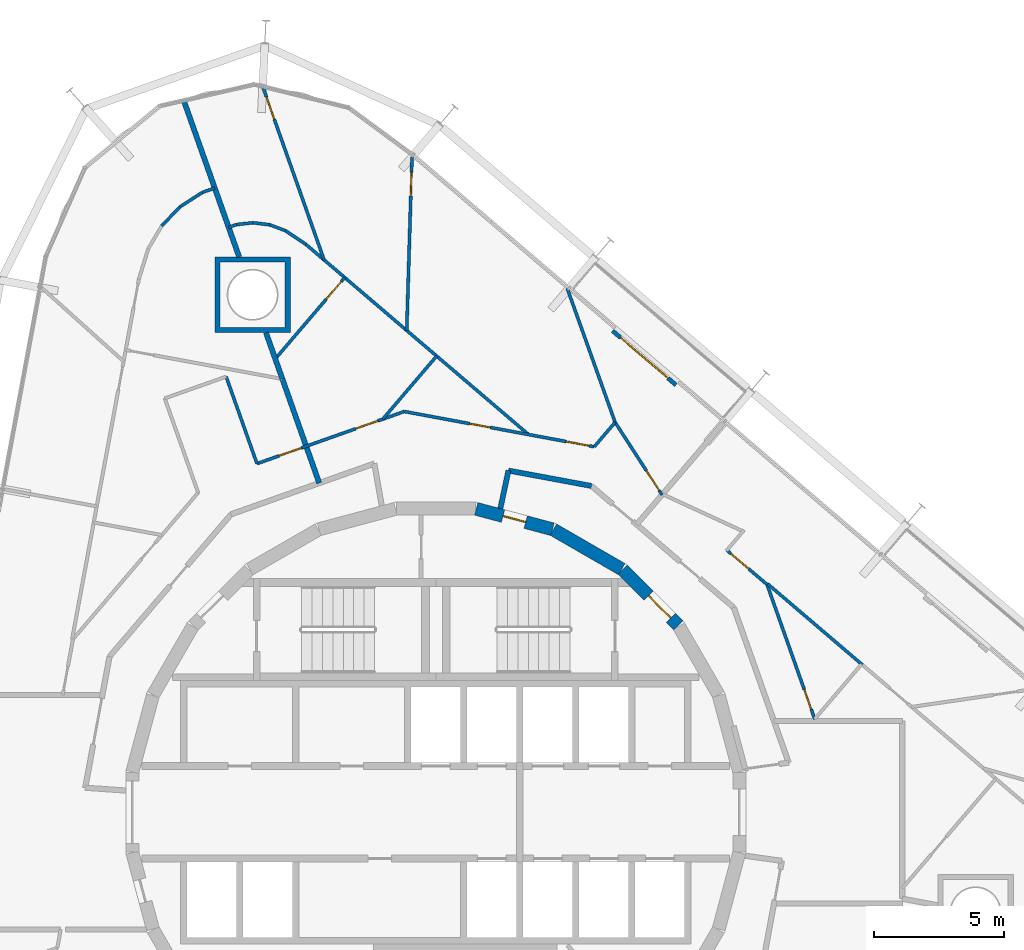
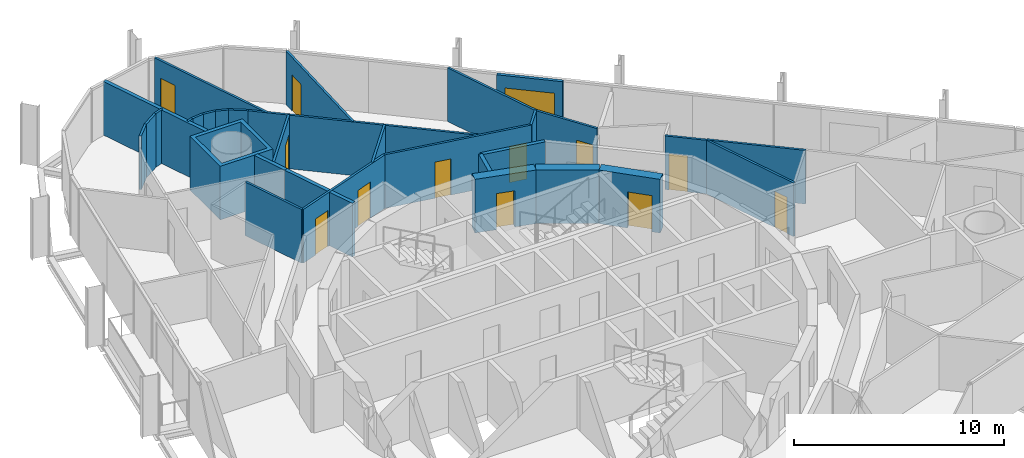
# One storey, part 15 of 17: 32 walls, 13 doors, 13 openings.
"""IFC4 building model written with IfcOpenShell, lengths in metres."""

from ifc_helpers import new_model, si_unit, direction, frame, frame_2d, origin, place, context, subcontext, project, spatial, polyline, rectangle, outline, extrude, material, layer, layer_set, type_object, element, fill, save


model = new_model("IFC4")

# Units and contexts
model_context = context("Model", 3, precision=1e-05, world=origin(), true_north=direction((0.0, 1.0)))
body_context = subcontext(model_context, "Body", "Model", "MODEL_VIEW")
ifc_project = project(units=[si_unit("LENGTHUNIT", "METRE"), si_unit("AREAUNIT", "SQUARE_METRE"), si_unit("VOLUMEUNIT", "CUBIC_METRE"), si_unit("PLANEANGLEUNIT", "RADIAN"), si_unit("MASSUNIT", "GRAM", prefix="KILO")], contexts=[model_context])

# Site, building, storey
site_placement = place(None, origin())
site = spatial("IfcSite", under=ifc_project, at=site_placement, CompositionType="ELEMENT")
building_placement = place(site_placement, origin())
building = spatial("IfcBuilding", under=site, at=building_placement, Name="Spindle Arch Residences", CompositionType="ELEMENT")
storey_placement = place(building_placement, frame((0.0, 0.0, 162.199951171875)))
storey = spatial("IfcBuildingStorey", under=building, at=storey_placement, Name="L40", CompositionType="ELEMENT", Elevation=162.199951171875)

# Wall, opening, door
ifc_material_1 = material(Name="Concrete C50/60", Category="concrete")
ifc_layer_1 = layer(ifc_material_1, 0.5)
ifc_layer_set_1 = layer_set([ifc_layer_1], Name="Core outline wall 500")
wall_type_1 = type_object("IfcWallType", Name="Core outline wall 500", PredefinedType="SHEAR", material=ifc_layer_set_1)
wall_1_placement = place(storey_placement, frame((9.30810546875, 7.163818359375, 0.0), z_axis=(0.0, 0.0, 1.0), x_axis=(-0.707106781187, 0.707106781187, 0.0)))
wall_1 = element("IfcWall", 1, at=wall_1_placement, inside=storey, type_object=wall_type_1, Name="Core outline wall 9", PredefinedType="SHEAR", context=body_context, shape_type="SweptSolid", body=[
    extrude(rectangle(XDim=3.032470703125, YDim=0.5, at=frame_2d((1.51611328125, 0.0))), origin(), (0.0, 0.0, 1.0), 3.1201171875),
])
opening_1_placement = place(wall_1_placement, frame((0.416259765625, 0.0, 0.0)))
opening_1 = element("IfcOpeningElement", 2, at=opening_1_placement, cuts=wall_1, Name="Opening R4B1-AD01", PredefinedType="OPENING", context=body_context, shape_type="SweptSolid", body=[
    extrude(rectangle(XDim=1.199951171875, YDim=2.10009765625, at=frame_2d((0.60009765625, 1.050048828125))), frame((0.0, 0.260009765625, 0.0), z_axis=(0.0, -1.0, 0.0), x_axis=(1.0, 0.0, 0.0)), (0.0, 0.0, 1.0), 0.52001953125),
])
ifc_material_2 = material(Name="Steel, fire-resisting door", Category="steel")
door_type_1 = type_object("IfcDoorType", Name="Stair airlock door 1200x2100", OperationType="SINGLE_SWING_LEFT", PredefinedType="DOOR", material=ifc_material_2)
door_1_placement = place(opening_1_placement, origin())
door_1 = element("IfcDoor", 3, at=door_1_placement, inside=storey, type_object=door_type_1, Name="Stair airlock door R4B1-AD01", OperationType="SINGLE_SWING_RIGHT", OverallHeight=2.10009765625, OverallWidth=1.199951171875, PredefinedType="DOOR", context=body_context, shape_type="SweptSolid", body=[
    extrude(rectangle(XDim=1.199951171875, YDim=2.10009765625, at=frame_2d((0.60009765625, 1.050048828125))), frame((0.0, 0.02490234375, 0.0), z_axis=(0.0, -1.0, 0.0), x_axis=(1.0, 0.0, 0.0)), (0.0, 0.0, 1.0), 0.050048828125),
])
fill(opening_1, door_1)

# Wall
wall_2_placement = place(storey_placement, frame((7.13671875, 9.32861328125, 0.0), z_axis=(0.0, 0.0, 1.0), x_axis=(-0.865975092491, 0.500087131594, 0.0)))
element("IfcWall", 4, at=wall_2_placement, inside=storey, type_object=wall_type_1, Name="Core outline wall 10", PredefinedType="SHEAR", context=body_context, shape_type="SweptSolid", body=[
    extrude(rectangle(XDim=3.03271484375, YDim=0.5, at=frame_2d((1.516357421875, 0.0))), origin(), (0.0, 0.0, 1.0), 3.1201171875),
])

# Wall, opening, door
wall_3_placement = place(storey_placement, frame((4.479248046875, 10.858154296875, 0.0), z_axis=(0.0, 0.0, 1.0), x_axis=(-0.965948410781, 0.258734743916, 0.0)))
wall_3 = element("IfcWall", 5, at=wall_3_placement, inside=storey, type_object=wall_type_1, Name="Core outline wall 11", PredefinedType="SHEAR", context=body_context, shape_type="SweptSolid", body=[
    extrude(rectangle(XDim=3.03271484375, YDim=0.5, at=frame_2d((1.516357421875, 0.0))), origin(), (0.0, 0.0, 1.0), 3.1201171875),
])
opening_2_placement = place(wall_3_placement, frame((1.066162109375, 0.0, 0.0)))
opening_2 = element("IfcOpeningElement", 6, at=opening_2_placement, cuts=wall_3, Name="Opening R4B1-WD10", PredefinedType="OPENING", context=body_context, shape_type="SweptSolid", body=[
    extrude(rectangle(XDim=0.89990234375, YDim=2.10009765625, at=frame_2d((0.449951171875, 1.050048828125))), frame((0.0, 0.260009765625, 0.0), z_axis=(0.0, -1.0, 0.0), x_axis=(1.0, 0.0, 0.0)), (0.0, 0.0, 1.0), 0.52001953125),
])
ifc_material_3 = material(Name="Steel, fire-resisting door", Category="steel")
door_type_2 = type_object("IfcDoorType", Name="Service room door 900x2100", OperationType="SINGLE_SWING_LEFT", PredefinedType="DOOR", material=ifc_material_3)
door_2_placement = place(opening_2_placement, origin())
door_2 = element("IfcDoor", 7, at=door_2_placement, inside=storey, type_object=door_type_2, Name="Service room door R4B1-WD10", OperationType="SINGLE_SWING_RIGHT", OverallHeight=2.10009765625, OverallWidth=0.89990234375, PredefinedType="DOOR", context=body_context, shape_type="SweptSolid", body=[
    extrude(rectangle(XDim=0.89990234375, YDim=2.10009765625, at=frame_2d((0.449951171875, 1.050048828125))), frame((0.0, 0.02490234375, 0.0), z_axis=(0.0, -1.0, 0.0), x_axis=(1.0, 0.0, 0.0)), (0.0, 0.0, 1.0), 0.050048828125),
])
fill(opening_2, door_2)

# Walls
ifc_material_4 = material(Name="Calcium silicate block, plastered")
ifc_layer_2 = layer(ifc_material_4, 0.199951171875)
ifc_layer_set_2 = layer_set([ifc_layer_2], Name="Corridor wall 200")
wall_type_2 = type_object("IfcWallType", Name="Corridor wall 200", PredefinedType="STANDARD", material=ifc_layer_set_2)
wall_4_placement = place(storey_placement, frame((5.972412109375, 12.521240234375, 0.0), z_axis=(0.0, 0.0, 1.0), x_axis=(-0.983243002308, 0.182299748799, 0.0)))
element("IfcWall", 8, at=wall_4_placement, inside=storey, type_object=wall_type_2, Name="Corridor wall R4B1-W005", PredefinedType="STANDARD", context=body_context, shape_type="SweptSolid", body=[
    extrude(rectangle(XDim=3.239501953125, YDim=0.199951171875, at=frame_2d((1.61962890625, 0.0))), origin(), (0.0, 0.0, 1.0), 3.1201171875),
])
wall_5_placement = place(storey_placement, frame((2.787109375, 13.11181640625, 0.0), z_axis=(0.0, 0.0, 1.0), x_axis=(-0.207941001029, -0.978141370197, 0.0)))
element("IfcWall", 9, at=wall_5_placement, inside=storey, type_object=wall_type_2, Name="Corridor wall R4B1-W006", PredefinedType="STANDARD", context=body_context, shape_type="SweptSolid", body=[
    extrude(rectangle(XDim=1.4912109375, YDim=0.199951171875, at=frame_2d((0.74560546875, 0.0))), origin(), (0.0, 0.0, 1.0), 3.1201171875),
])

# Wall, opening, door
ifc_material_5 = material(Name="Plasterboard on steel studs", Category="steel")
ifc_layer_3 = layer(ifc_material_5, 0.1201171875)
ifc_layer_set_3 = layer_set([ifc_layer_3], Name="Flat partition 120")
wall_type_3 = type_object("IfcWallType", Name="Flat partition 120", PredefinedType="PARTITIONING", material=ifc_layer_set_3)
wall_6_placement = place(storey_placement, frame((14.540771484375, 3.57470703125, 0.0), z_axis=(0.0, 0.0, 1.0), x_axis=(-0.333799280318, 0.942644174893, 0.0)))
wall_6 = element("IfcWall", 10, at=wall_6_placement, inside=storey, type_object=wall_type_3, Name="Flat partition R4B1-W038", PredefinedType="PARTITIONING", context=body_context, shape_type="SweptSolid", body=[
    extrude(rectangle(XDim=5.476806640625, YDim=0.1201171875, at=frame_2d((2.73828125, 0.0))), origin(), (0.0, 0.0, 1.0), 3.1201171875),
])
opening_3_placement = place(wall_6_placement, frame((0.39990234375, 0.0, 0.0)))
opening_3 = element("IfcOpeningElement", 11, at=opening_3_placement, cuts=wall_6, Name="Opening R4B1-BD01", PredefinedType="OPENING", context=body_context, shape_type="SweptSolid", body=[
    extrude(rectangle(XDim=0.800048828125, YDim=2.10009765625, at=frame_2d((0.39990234375, 1.050048828125))), frame((0.0, 0.070068359375, 0.0), z_axis=(0.0, -1.0, 0.0), x_axis=(1.0, 0.0, 0.0)), (0.0, 0.0, 1.0), 0.14013671875),
])
ifc_material_6 = material(Name="Timber door set", Category="wood")
door_type_3 = type_object("IfcDoorType", Name="Bathroom door 800x2100", OperationType="NOTDEFINED", PredefinedType="DOOR", material=ifc_material_6)
door_3_placement = place(opening_3_placement, origin())
door_3 = element("IfcDoor", 12, at=door_3_placement, inside=storey, type_object=door_type_3, Name="Bathroom door R4B1-BD01", OperationType="SINGLE_SWING_LEFT", OverallHeight=2.10009765625, OverallWidth=0.800048828125, PredefinedType="DOOR", context=body_context, shape_type="SweptSolid", body=[
    extrude(rectangle(XDim=0.800048828125, YDim=2.10009765625, at=frame_2d((0.39990234375, 1.050048828125))), frame((0.0, 0.02490234375, 0.0), z_axis=(0.0, -1.0, 0.0), x_axis=(1.0, 0.0, 0.0)), (0.0, 0.0, 1.0), 0.050048828125),
])
fill(opening_3, door_3)

wall_7_placement = place(storey_placement, frame((12.712646484375, 8.7373046875, 0.0), z_axis=(0.0, 0.0, 1.0), x_axis=(-0.760410825807, 0.649442357716, 0.0)))
wall_7 = element("IfcWall", 13, at=wall_7_placement, inside=storey, type_object=wall_type_3, Name="Flat partition R4B1-W039", PredefinedType="PARTITIONING", context=body_context, shape_type="SweptSolid", body=[
    extrude(rectangle(XDim=2.028564453125, YDim=0.1201171875, at=frame_2d((1.01416015625, 0.0))), origin(), (0.0, 0.0, 1.0), 3.1201171875),
])
opening_4_placement = place(wall_7_placement, frame((0.9287109375, 0.0, 0.0)))
opening_4 = element("IfcOpeningElement", 14, at=opening_4_placement, cuts=wall_7, Name="Opening R4B1-ID01", PredefinedType="OPENING", context=body_context, shape_type="SweptSolid", body=[
    extrude(rectangle(XDim=0.89990234375, YDim=2.10009765625, at=frame_2d((0.449951171875, 1.050048828125))), frame((0.0, 0.070068359375, 0.0), z_axis=(0.0, -1.0, 0.0), x_axis=(1.0, 0.0, 0.0)), (0.0, 0.0, 1.0), 0.14013671875),
])
ifc_material_7 = material(Name="Timber door set", Category="wood")
door_type_4 = type_object("IfcDoorType", Name="Room door 900x2100", OperationType="NOTDEFINED", PredefinedType="DOOR", material=ifc_material_7)
door_4_placement = place(opening_4_placement, origin())
door_4 = element("IfcDoor", 15, at=door_4_placement, inside=storey, type_object=door_type_4, Name="Room door R4B1-ID01", OperationType="SINGLE_SWING_LEFT", OverallHeight=2.10009765625, OverallWidth=0.89990234375, PredefinedType="DOOR", context=body_context, shape_type="SweptSolid", body=[
    extrude(rectangle(XDim=0.89990234375, YDim=2.10009765625, at=frame_2d((0.449951171875, 1.050048828125))), frame((0.0, 0.02490234375, 0.0), z_axis=(0.0, -1.0, 0.0), x_axis=(1.0, 0.0, 0.0)), (0.0, 0.0, 1.0), 0.050048828125),
])
fill(opening_4, door_4)

# Wall
wall_8_placement = place(storey_placement, frame((12.734130859375, 8.76220703125, 0.0), z_axis=(0.0, 0.0, 1.0), x_axis=(0.760390484255, -0.649466174219, 0.0)))
element("IfcWall", 16, at=wall_8_placement, inside=storey, type_object=wall_type_3, Name="Flat partition R4B1-W040", PredefinedType="PARTITIONING", context=body_context, shape_type="SweptSolid", body=[
    extrude(rectangle(XDim=4.78271484375, YDim=0.1201171875, at=frame_2d((2.391357421875, 0.0))), origin(), (0.0, 0.0, 1.0), 3.1201171875),
])

# Wall, opening, door
wall_9_placement = place(storey_placement, frame((8.6806640625, 12.180908203125, 0.0), z_axis=(0.0, 0.0, 1.0), x_axis=(-0.543187118914, 0.839611668479, 0.0)))
wall_9 = element("IfcWall", 17, at=wall_9_placement, inside=storey, type_object=wall_type_3, Name="Flat partition R4B1-W053", PredefinedType="PARTITIONING", context=body_context, shape_type="SweptSolid", body=[
    extrude(rectangle(XDim=3.3134765625, YDim=0.1201171875, at=frame_2d((1.65673828125, 0.0))), origin(), (0.0, 0.0, 1.0), 3.1201171875),
])
opening_5_placement = place(wall_9_placement, frame((0.199951171875, 0.0, 0.0)))
opening_5 = element("IfcOpeningElement", 18, at=opening_5_placement, cuts=wall_9, Name="Opening R4B1-ID06", PredefinedType="OPENING", context=body_context, shape_type="SweptSolid", body=[
    extrude(rectangle(XDim=0.89990234375, YDim=2.10009765625, at=frame_2d((0.449951171875, 1.050048828125))), frame((0.0, 0.070068359375, 0.0), z_axis=(0.0, -1.0, 0.0), x_axis=(1.0, 0.0, 0.0)), (0.0, 0.0, 1.0), 0.14013671875),
])
door_5_placement = place(opening_5_placement, origin())
door_5 = element("IfcDoor", 19, at=door_5_placement, inside=storey, type_object=door_type_4, Name="Room door R4B1-ID06", OperationType="SINGLE_SWING_RIGHT", OverallHeight=2.10009765625, OverallWidth=0.89990234375, PredefinedType="DOOR", context=body_context, shape_type="SweptSolid", body=[
    extrude(rectangle(XDim=0.89990234375, YDim=2.10009765625, at=frame_2d((0.449951171875, 1.050048828125))), frame((0.0, 0.02490234375, 0.0), z_axis=(0.0, -1.0, 0.0), x_axis=(1.0, 0.0, 0.0)), (0.0, 0.0, 1.0), 0.050048828125),
])
fill(opening_5, door_5)

# Wall
wall_10_placement = place(storey_placement, frame((6.880859375, 14.962890625, 0.0), z_axis=(0.0, 0.0, 1.0), x_axis=(-0.649402250594, -0.760445078177, 0.0)))
element("IfcWall", 20, at=wall_10_placement, inside=storey, type_object=wall_type_3, Name="Flat partition R4B1-W054", PredefinedType="PARTITIONING", context=body_context, shape_type="SweptSolid", body=[
    extrude(rectangle(XDim=1.231201171875, YDim=0.1201171875, at=frame_2d((0.61572265625, 0.0))), origin(), (0.0, 0.0, 1.0), 3.1201171875),
])

# Wall, openings, doors
wall_11_placement = place(storey_placement, frame((6.081298828125, 14.026611328125, 0.0), z_axis=(0.0, 0.0, 1.0), x_axis=(-0.983250989832, 0.182256662416, 0.0)))
wall_11 = element("IfcWall", 21, at=wall_11_placement, inside=storey, type_object=wall_type_3, Name="Flat partition R4B1-W055", PredefinedType="PARTITIONING", context=body_context, shape_type="SweptSolid", body=[
    extrude(rectangle(XDim=7.415771484375, YDim=0.1201171875, at=frame_2d((3.7080078125, 0.0))), origin(), (0.0, 0.0, 1.0), 3.1201171875),
])
opening_6_placement = place(wall_11_placement, frame((0.199951171875, 0.0, 0.0)))
opening_6 = element("IfcOpeningElement", 22, at=opening_6_placement, cuts=wall_11, Name="Opening R4B1-ID07", PredefinedType="OPENING", context=body_context, shape_type="SweptSolid", body=[
    extrude(rectangle(XDim=0.89990234375, YDim=2.10009765625, at=frame_2d((0.449951171875, 1.050048828125))), frame((0.0, 0.070068359375, 0.0), z_axis=(0.0, -1.0, 0.0), x_axis=(1.0, 0.0, 0.0)), (0.0, 0.0, 1.0), 0.14013671875),
])
opening_7_placement = place(wall_11_placement, frame((4.06494140625, 0.0, 0.0)))
opening_7 = element("IfcOpeningElement", 23, at=opening_7_placement, cuts=wall_11, Name="Opening R4B1-BD02", PredefinedType="OPENING", context=body_context, shape_type="SweptSolid", body=[
    extrude(rectangle(XDim=0.800048828125, YDim=2.10009765625, at=frame_2d((0.39990234375, 1.050048828125))), frame((0.0, 0.070068359375, 0.0), z_axis=(0.0, -1.0, 0.0), x_axis=(1.0, 0.0, 0.0)), (0.0, 0.0, 1.0), 0.14013671875),
])
door_6_placement = place(opening_7_placement, origin())
door_6 = element("IfcDoor", 24, at=door_6_placement, inside=storey, type_object=door_type_3, Name="Bathroom door R4B1-BD02", OperationType="SINGLE_SWING_RIGHT", OverallHeight=2.10009765625, OverallWidth=0.800048828125, PredefinedType="DOOR", context=body_context, shape_type="SweptSolid", body=[
    extrude(rectangle(XDim=0.800048828125, YDim=2.10009765625, at=frame_2d((0.39990234375, 1.050048828125))), frame((0.0, 0.02490234375, 0.0), z_axis=(0.0, -1.0, 0.0), x_axis=(1.0, 0.0, 0.0)), (0.0, 0.0, 1.0), 0.050048828125),
])
fill(opening_7, door_6)
door_7_placement = place(opening_6_placement, origin())
door_7 = element("IfcDoor", 25, at=door_7_placement, inside=storey, type_object=door_type_4, Name="Room door R4B1-ID07", OperationType="SINGLE_SWING_RIGHT", OverallHeight=2.10009765625, OverallWidth=0.89990234375, PredefinedType="DOOR", context=body_context, shape_type="SweptSolid", body=[
    extrude(rectangle(XDim=0.89990234375, YDim=2.10009765625, at=frame_2d((0.449951171875, 1.050048828125))), frame((0.0, 0.02490234375, 0.0), z_axis=(0.0, -1.0, 0.0), x_axis=(1.0, 0.0, 0.0)), (0.0, 0.0, 1.0), 0.050048828125),
])
fill(opening_6, door_7)

wall_12_placement = place(storey_placement, frame((-1.210205078125, 15.378173828125, 0.0), z_axis=(0.0, 0.0, 1.0), x_axis=(-0.9426440416, -0.333799656734, 0.0)))
wall_12 = element("IfcWall", 26, at=wall_12_placement, inside=storey, type_object=wall_type_3, Name="Flat partition R4B1-W056", PredefinedType="PARTITIONING", context=body_context, shape_type="SweptSolid", body=[
    extrude(rectangle(XDim=5.99609375, YDim=0.1201171875, at=frame_2d((2.998046875, 0.0))), origin(), (0.0, 0.0, 1.0), 3.1201171875),
])
opening_8_placement = place(wall_12_placement, frame((1.074951171875, 0.0, 0.0)))
opening_8 = element("IfcOpeningElement", 27, at=opening_8_placement, cuts=wall_12, Name="Opening R4B1-ID08", PredefinedType="OPENING", context=body_context, shape_type="SweptSolid", body=[
    extrude(rectangle(XDim=0.89990234375, YDim=2.10009765625, at=frame_2d((0.449951171875, 1.050048828125))), frame((0.0, 0.070068359375, 0.0), z_axis=(0.0, -1.0, 0.0), x_axis=(1.0, 0.0, 0.0)), (0.0, 0.0, 1.0), 0.14013671875),
])
opening_9_placement = place(wall_12_placement, frame((4.1923828125, 0.0, 0.0)))
opening_9 = element("IfcOpeningElement", 28, at=opening_9_placement, cuts=wall_12, Name="Opening R4B1-ID12", PredefinedType="OPENING", context=body_context, shape_type="SweptSolid", body=[
    extrude(rectangle(XDim=0.89990234375, YDim=2.10009765625, at=frame_2d((0.449951171875, 1.050048828125))), frame((0.0, 0.070068359375, 0.0), z_axis=(0.0, -1.0, 0.0), x_axis=(1.0, 0.0, 0.0)), (0.0, 0.0, 1.0), 0.14013671875),
])
door_8_placement = place(opening_8_placement, origin())
door_8 = element("IfcDoor", 29, at=door_8_placement, inside=storey, type_object=door_type_4, Name="Room door R4B1-ID08", OperationType="SINGLE_SWING_RIGHT", OverallHeight=2.10009765625, OverallWidth=0.89990234375, PredefinedType="DOOR", context=body_context, shape_type="SweptSolid", body=[
    extrude(rectangle(XDim=0.89990234375, YDim=2.10009765625, at=frame_2d((0.449951171875, 1.050048828125))), frame((0.0, 0.02490234375, 0.0), z_axis=(0.0, -1.0, 0.0), x_axis=(1.0, 0.0, 0.0)), (0.0, 0.0, 1.0), 0.050048828125),
])
fill(opening_8, door_8)
door_9_placement = place(opening_9_placement, origin())
door_9 = element("IfcDoor", 30, at=door_9_placement, inside=storey, type_object=door_type_4, Name="Room door R4B1-ID12", OperationType="SINGLE_SWING_LEFT", OverallHeight=2.10009765625, OverallWidth=0.89990234375, PredefinedType="DOOR", context=body_context, shape_type="SweptSolid", body=[
    extrude(rectangle(XDim=0.89990234375, YDim=2.10009765625, at=frame_2d((0.449951171875, 1.050048828125))), frame((0.0, 0.02490234375, 0.0), z_axis=(0.0, -1.0, 0.0), x_axis=(1.0, 0.0, 0.0)), (0.0, 0.0, 1.0), 0.050048828125),
])
fill(opening_9, door_9)

# Walls
wall_13_placement = place(storey_placement, frame((5.042724609375, 20.10498046875, 0.0), z_axis=(0.0, 0.0, 1.0), x_axis=(0.336608273763, -0.941644768495, 0.0)))
element("IfcWall", 31, at=wall_13_placement, inside=storey, type_object=wall_type_3, Name="Flat partition R4B1-W057", PredefinedType="PARTITIONING", context=body_context, shape_type="SweptSolid", body=[
    extrude(rectangle(XDim=5.460693359375, YDim=0.1201171875, at=frame_2d((2.73046875, 0.0))), origin(), (0.0, 0.0, 1.0), 3.1201171875),
])
wall_14_placement = place(storey_placement, frame((-4.983154296875, 21.7900390625, 0.0), z_axis=(0.0, 0.0, 1.0), x_axis=(0.760399838428, -0.649455222258, 0.0)))
element("IfcWall", 32, at=wall_14_placement, inside=storey, type_object=wall_type_3, Name="Flat partition R4B1-W058", PredefinedType="PARTITIONING", context=body_context, shape_type="SweptSolid", body=[
    extrude(rectangle(XDim=11.23388671875, YDim=0.1201171875, at=frame_2d((5.616943359375, 0.0))), origin(), (0.0, 0.0, 1.0), 3.1201171875),
])

# Wall, opening, door
wall_15_placement = place(storey_placement, frame((-0.913818359375, 25.152587890625, 0.0), z_axis=(0.0, 0.0, 1.0), x_axis=(-0.030313511254, -0.99954043992, 0.0)))
wall_15 = element("IfcWall", 33, at=wall_15_placement, inside=storey, type_object=wall_type_3, Name="Flat partition R4B1-W059", PredefinedType="PARTITIONING", context=body_context, shape_type="SweptSolid", body=[
    extrude(rectangle(XDim=6.668701171875, YDim=0.1201171875, at=frame_2d((3.33447265625, 0.0))), origin(), (0.0, 0.0, 1.0), 3.1201171875),
])
opening_10_placement = place(wall_15_placement, frame((0.60009765625, 0.0, 0.0)))
opening_10 = element("IfcOpeningElement", 34, at=opening_10_placement, cuts=wall_15, Name="Opening R4B1-ID10", PredefinedType="OPENING", context=body_context, shape_type="SweptSolid", body=[
    extrude(rectangle(XDim=0.89990234375, YDim=2.10009765625, at=frame_2d((0.449951171875, 1.050048828125))), frame((0.0, 0.070068359375, 0.0), z_axis=(0.0, -1.0, 0.0), x_axis=(1.0, 0.0, 0.0)), (0.0, 0.0, 1.0), 0.14013671875),
])
door_10_placement = place(opening_10_placement, origin())
door_10 = element("IfcDoor", 35, at=door_10_placement, inside=storey, type_object=door_type_4, Name="Room door R4B1-ID10", OperationType="SINGLE_SWING_RIGHT", OverallHeight=2.10009765625, OverallWidth=0.89990234375, PredefinedType="DOOR", context=body_context, shape_type="SweptSolid", body=[
    extrude(rectangle(XDim=0.89990234375, YDim=2.10009765625, at=frame_2d((0.449951171875, 1.050048828125))), frame((0.0, 0.02490234375, 0.0), z_axis=(0.0, -1.0, 0.0), x_axis=(1.0, 0.0, 0.0)), (0.0, 0.0, 1.0), 0.050048828125),
])
fill(opening_10, door_10)

# Wall
wall_16_placement = place(storey_placement, frame((0.0322265625, 17.50634765625, 0.0), z_axis=(0.0, 0.0, 1.0), x_axis=(-0.649432263268, -0.760419447034, 0.0)))
element("IfcWall", 36, at=wall_16_placement, inside=storey, type_object=wall_type_3, Name="Flat partition R4B1-W060", PredefinedType="PARTITIONING", context=body_context, shape_type="SweptSolid", body=[
    extrude(rectangle(XDim=3.18310546875, YDim=0.1201171875, at=frame_2d((1.591552734375, 0.0))), origin(), (0.0, 0.0, 1.0), 3.1201171875),
])

# Wall, opening, door
wall_17_placement = place(storey_placement, frame((-6.63037109375, 27.815673828125, 0.0), z_axis=(0.0, 0.0, 1.0), x_axis=(0.3337943848, -0.942645908428, 0.0)))
wall_17 = element("IfcWall", 37, at=wall_17_placement, inside=storey, type_object=wall_type_3, Name="Flat partition R4B1-W061", PredefinedType="PARTITIONING", context=body_context, shape_type="SweptSolid", body=[
    extrude(rectangle(XDim=7.0244140625, YDim=0.1201171875, at=frame_2d((3.51220703125, 0.0))), origin(), (0.0, 0.0, 1.0), 3.1201171875),
])
opening_11_placement = place(wall_17_placement, frame((0.39990234375, 0.0, 0.0)))
opening_11 = element("IfcOpeningElement", 38, at=opening_11_placement, cuts=wall_17, Name="Opening R4B1-ID11", PredefinedType="OPENING", context=body_context, shape_type="SweptSolid", body=[
    extrude(rectangle(XDim=0.89990234375, YDim=2.10009765625, at=frame_2d((0.449951171875, 1.050048828125))), frame((0.0, 0.070068359375, 0.0), z_axis=(0.0, -1.0, 0.0), x_axis=(1.0, 0.0, 0.0)), (0.0, 0.0, 1.0), 0.14013671875),
])
door_11_placement = place(opening_11_placement, origin())
door_11 = element("IfcDoor", 39, at=door_11_placement, inside=storey, type_object=door_type_4, Name="Room door R4B1-ID11", OperationType="SINGLE_SWING_RIGHT", OverallHeight=2.10009765625, OverallWidth=0.89990234375, PredefinedType="DOOR", context=body_context, shape_type="SweptSolid", body=[
    extrude(rectangle(XDim=0.89990234375, YDim=2.10009765625, at=frame_2d((0.449951171875, 1.050048828125))), frame((0.0, 0.02490234375, 0.0), z_axis=(0.0, -1.0, 0.0), x_axis=(1.0, 0.0, 0.0)), (0.0, 0.0, 1.0), 0.050048828125),
])
fill(opening_11, door_11)

wall_18_placement = place(storey_placement, frame((-3.494873046875, 20.518798828125, 0.0), z_axis=(0.0, 0.0, 1.0), x_axis=(-0.649433550281, -0.760418347865, 0.0)))
wall_18 = element("IfcWall", 40, at=wall_18_placement, inside=storey, type_object=wall_type_3, Name="Flat partition R4B1-W062", PredefinedType="PARTITIONING", context=body_context, shape_type="SweptSolid", body=[
    extrude(rectangle(XDim=4.104736328125, YDim=0.1201171875, at=frame_2d((2.05224609375, 0.0))), origin(), (0.0, 0.0, 1.0), 3.1201171875),
])
opening_12_placement = place(wall_18_placement, frame((0.199951171875, 0.0, 0.0)))
opening_12 = element("IfcOpeningElement", 41, at=opening_12_placement, cuts=wall_18, Name="Opening R4B1-ID09", PredefinedType="OPENING", context=body_context, shape_type="SweptSolid", body=[
    extrude(rectangle(XDim=0.89990234375, YDim=2.10009765625, at=frame_2d((0.449951171875, 1.050048828125))), frame((0.0, 0.070068359375, 0.0), z_axis=(0.0, -1.0, 0.0), x_axis=(1.0, 0.0, 0.0)), (0.0, 0.0, 1.0), 0.14013671875),
])
door_12_placement = place(opening_12_placement, origin())
door_12 = element("IfcDoor", 42, at=door_12_placement, inside=storey, type_object=door_type_4, Name="Room door R4B1-ID09", OperationType="SINGLE_SWING_RIGHT", OverallHeight=2.10009765625, OverallWidth=0.89990234375, PredefinedType="DOOR", context=body_context, shape_type="SweptSolid", body=[
    extrude(rectangle(XDim=0.89990234375, YDim=2.10009765625, at=frame_2d((0.449951171875, 1.050048828125))), frame((0.0, 0.02490234375, 0.0), z_axis=(0.0, -1.0, 0.0), x_axis=(1.0, 0.0, 0.0)), (0.0, 0.0, 1.0), 0.050048828125),
])
fill(opening_12, door_12)

# Walls
wall_19_placement = place(storey_placement, frame((-4.983154296875, 21.7900390625, 0.0), z_axis=(0.0, 0.0, 1.0), x_axis=(-0.830738977604, 0.556662151659, 0.0)))
element("IfcWall", 43, at=wall_19_placement, inside=storey, type_object=wall_type_3, Name="Flat partition R4B1-W063", PredefinedType="PARTITIONING", context=body_context, shape_type="SweptSolid", body=[
    extrude(rectangle(XDim=0.94677734375, YDim=0.1201171875, at=frame_2d((0.473388671875, 0.0))), origin(), (0.0, 0.0, 1.0), 3.1201171875),
])
wall_20_placement = place(storey_placement, frame((-5.769775390625, 22.317138671875, 0.0), z_axis=(0.0, 0.0, 1.0), x_axis=(-0.936656964971, 0.350248097742, 0.0)))
element("IfcWall", 44, at=wall_20_placement, inside=storey, type_object=wall_type_3, Name="Flat partition R4B1-W064", PredefinedType="PARTITIONING", context=body_context, shape_type="SweptSolid", body=[
    extrude(rectangle(XDim=0.64208984375, YDim=0.1201171875, at=frame_2d((0.321044921875, 0.0))), origin(), (0.0, 0.0, 1.0), 3.1201171875),
])
for number, where, z_axis, x_axis, name in (
    (45, (-6.37109375, 22.5419921875, 0.0), (0.0, 0.0, 1.0), (-0.992183947469, 0.124783870694, 0.0), "Flat partition R4B1-W065"),
    (46, (-7.0078125, 22.6220703125, 0.0), (0.0, 0.0, 1.0), (-0.994190559363, -0.107634249541, 0.0), "Flat partition R4B1-W066"),
):
    element("IfcWall", number, at=place(storey_placement, frame(where, z_axis=z_axis, x_axis=x_axis)), inside=storey, type_object=wall_type_3, Name=name, PredefinedType="PARTITIONING", context=body_context, shape_type="SweptSolid", body=[
        extrude(rectangle(XDim=0.641845703125, YDim=0.1201171875, at=frame_2d((0.32080078125, 0.0))), origin(), (0.0, 0.0, 1.0), 3.1201171875),
    ])
wall_21_placement = place(storey_placement, frame((-7.64599609375, 22.552978515625, 0.0), z_axis=(0.0, 0.0, 1.0), x_axis=(-0.942821632103, -0.333297719823, 0.0)))
element("IfcWall", 47, at=wall_21_placement, inside=storey, type_object=wall_type_3, Name="Flat partition R4B1-W067", PredefinedType="PARTITIONING", context=body_context, shape_type="SweptSolid", body=[
    extrude(rectangle(XDim=0.32080078125, YDim=0.1201171875, at=frame_2d((0.160400390625, 0.0))), origin(), (0.0, 0.0, 1.0), 3.1201171875),
])
wall_22_placement = place(storey_placement, frame((-6.8623046875, 13.376708984375, 0.0), z_axis=(0.0, 0.0, 1.0), x_axis=(-0.333868827671, 0.942619544625, 0.0)))
element("IfcWall", 48, at=wall_22_placement, inside=storey, type_object=wall_type_3, Name="Flat partition R4B1-W068", PredefinedType="PARTITIONING", context=body_context, shape_type="SweptSolid", body=[
    extrude(rectangle(XDim=3.54296875, YDim=0.1201171875, at=frame_2d((1.771484375, 0.0))), origin(), (0.0, 0.0, 1.0), 3.1201171875),
])
wall_23_placement = place(storey_placement, frame((-8.482666015625, 23.9541015625, 0.0), z_axis=(0.0, 0.0, 1.0), x_axis=(-0.942705991445, -0.3336246599, 0.0)))
element("IfcWall", 49, at=wall_23_placement, inside=storey, type_object=wall_type_3, Name="Flat partition R4B1-W074", PredefinedType="PARTITIONING", context=body_context, shape_type="SweptSolid", body=[
    extrude(rectangle(XDim=0.5078125, YDim=0.1201171875, at=frame_2d((0.25390625, 0.0))), origin(), (0.0, 0.0, 1.0), 3.1201171875),
])
wall_24_placement = place(storey_placement, frame((-8.96142578125, 23.78466796875, 0.0), z_axis=(0.0, 0.0, 1.0), x_axis=(-0.840310772539, -0.542104976508, 0.0)))
element("IfcWall", 50, at=wall_24_placement, inside=storey, type_object=wall_type_3, Name="Flat partition R4B1-W075", PredefinedType="PARTITIONING", context=body_context, shape_type="SweptSolid", body=[
    extrude(rectangle(XDim=1.01611328125, YDim=0.1201171875, at=frame_2d((0.508056640625, 0.0))), origin(), (0.0, 0.0, 1.0), 3.1201171875),
])
wall_25_placement = place(storey_placement, frame((-9.815185546875, 23.23388671875, 0.0), z_axis=(0.0, 0.0, 1.0), x_axis=(-0.69266189308, -0.721262436201, 0.0)))
element("IfcWall", 51, at=wall_25_placement, inside=storey, type_object=wall_type_3, Name="Flat partition R4B1-W076", PredefinedType="PARTITIONING", context=body_context, shape_type="SweptSolid", body=[
    extrude(rectangle(XDim=1.015869140625, YDim=0.1201171875, at=frame_2d((0.5078125, 0.0))), origin(), (0.0, 0.0, 1.0), 3.1201171875),
])
ifc_material_8 = material(Name="Calcium silicate block, plastered")
ifc_layer_4 = layer(ifc_material_8, 0.199951171875)
ifc_layer_set_4 = layer_set([ifc_layer_4], Name="Flat party wall 200")
wall_type_4 = type_object("IfcWallType", Name="Flat party wall 200", PredefinedType="STANDARD", material=ifc_layer_set_4)
wall_26_placement = place(storey_placement, frame((-5.887451171875, 16.625732421875, 0.0), z_axis=(0.0, 0.0, 1.0), x_axis=(0.333820478853, -0.942636668021, 0.0)))
element("IfcWall", 52, at=wall_26_placement, inside=storey, type_object=wall_type_4, Name="Flat party wall R4B1-W031", PredefinedType="STANDARD", context=body_context, shape_type="SweptSolid", body=[
    extrude(rectangle(XDim=4.237548828125, YDim=0.199951171875, at=frame_2d((2.11865234375, 0.0))), origin(), (0.0, 0.0, 1.0), 3.1201171875),
])
wall_27_placement = place(storey_placement, frame((-6.518310546875, 18.40771484375, 0.0), z_axis=(0.0, 0.0, 1.0), x_axis=(0.333725210903, -0.942670400303, 0.0)))
element("IfcWall", 53, at=wall_27_placement, inside=storey, type_object=wall_type_4, Name="Flat party wall R4B1-W032", PredefinedType="STANDARD", context=body_context, shape_type="SweptSolid", body=[
    extrude(rectangle(XDim=1.890380859375, YDim=0.199951171875, at=frame_2d((0.9453125, 0.0))), origin(), (0.0, 0.0, 1.0), 3.1201171875),
])
wall_28_placement = place(storey_placement, frame((-9.684326171875, 27.34765625, 0.0), z_axis=(0.0, 0.0, 1.0), x_axis=(0.333810465454, -0.942640214055, 0.0)))
element("IfcWall", 54, at=wall_28_placement, inside=storey, type_object=wall_type_4, Name="Flat party wall R4B1-W033", PredefinedType="STANDARD", context=body_context, shape_type="SweptSolid", body=[
    extrude(rectangle(XDim=6.407470703125, YDim=0.199951171875, at=frame_2d((3.20361328125, 0.0))), origin(), (0.0, 0.0, 1.0), 3.1201171875),
])

# Wall, opening, door
ifc_material_9 = material(Name="Non-combustible mineral wool insulated aluminium faced external wall (K0)", Category="aluminium")
ifc_layer_5 = layer(ifc_material_9, 0.159912109375)
ifc_layer_set_5 = layer_set([ifc_layer_5], Name="Insulated external wall panel 160")
wall_type_5 = type_object("IfcWallType", Name="Insulated external wall panel 160", PredefinedType="STANDARD", material=ifc_layer_set_5)
wall_29_placement = place(storey_placement, frame((9.21630859375, 16.395751953125, 0.0), z_axis=(0.0, 0.0, 1.0), x_axis=(-0.760429407868, 0.649420599957, 0.0)))
wall_29 = element("IfcWall", 55, at=wall_29_placement, inside=storey, type_object=wall_type_5, Name="External wall L40 bay 8", PredefinedType="STANDARD", context=body_context, shape_type="SweptSolid", body=[
    extrude(rectangle(XDim=3.199951171875, YDim=0.159912109375, at=frame_2d((1.60009765625, 0.0))), origin(), (0.0, 0.0, 1.0), 3.1201171875),
])
opening_13_placement = place(wall_29_placement, frame((0.39990234375, 0.0, 0.0)))
opening_13 = element("IfcOpeningElement", 56, at=opening_13_placement, cuts=wall_29, Name="Opening BD08", PredefinedType="OPENING", context=body_context, shape_type="SweptSolid", body=[
    extrude(rectangle(XDim=2.39990234375, YDim=2.39990234375, at=frame_2d((1.199951171875, 1.199951171875))), frame((0.0, 0.08984375, 0.0), z_axis=(0.0, -1.0, 0.0), x_axis=(1.0, 0.0, 0.0)), (0.0, 0.0, 1.0), 0.179931640625),
])
ifc_material_10 = material(Name="Bronze aluminium frame, tinted double glazing", Category="aluminium")
door_type_5 = type_object("IfcDoorType", Name="Sliding glazed balcony door 2400x2400", OperationType="DOUBLE_DOOR_SLIDING", PredefinedType="DOOR", material=ifc_material_10)
door_13_placement = place(opening_13_placement, origin())
door_13 = element("IfcDoor", 57, at=door_13_placement, inside=storey, type_object=door_type_5, Name="Balcony door BD08", OperationType="DOUBLE_DOOR_SLIDING", OverallHeight=2.39990234375, OverallWidth=2.39990234375, PredefinedType="DOOR", context=body_context, shape_type="SweptSolid", body=[
    extrude(rectangle(XDim=2.39990234375, YDim=2.39990234375, at=frame_2d((1.199951171875, 1.199951171875))), frame((0.0, 0.02490234375, 0.0), z_axis=(0.0, -1.0, 0.0), x_axis=(1.0, 0.0, 0.0)), (0.0, 0.0, 1.0), 0.050048828125),
])
fill(opening_13, door_13)

# Wall
ifc_material_11 = material(Name="Calcium silicate block, plastered")
ifc_layer_6 = layer(ifc_material_11, 0.199951171875)
ifc_layer_set_6 = layer_set([ifc_layer_6], Name="Mega-column casing wall 200")
wall_type_6 = type_object("IfcWallType", Name="Mega-column casing wall 200", PredefinedType="STANDARD", material=ifc_layer_set_6)
wall_30_placement = place(storey_placement, origin())
element("IfcWall", 58, at=wall_30_placement, inside=storey, type_object=wall_type_6, Name="Mega-column casing wall R4B1-WC01", PredefinedType="STANDARD", context=body_context, shape_type="SweptSolid", body=[
    extrude(outline(polyline([(-5.581787109375, 21.3076171875), (-5.581787109375, 18.40771484375), (-8.48193359375, 18.40771484375), (-8.48193359375, 21.3076171875), (-5.581787109375, 21.3076171875)]), holes=[polyline([(-8.281982421875, 18.607666015625), (-5.781982421875, 18.607666015625), (-5.781982421875, 21.107666015625), (-8.281982421875, 21.107666015625), (-8.281982421875, 18.607666015625)])]), origin(), (0.0, 0.0, 1.0), 3.1201171875),
])

save(model, "model.ifc")
